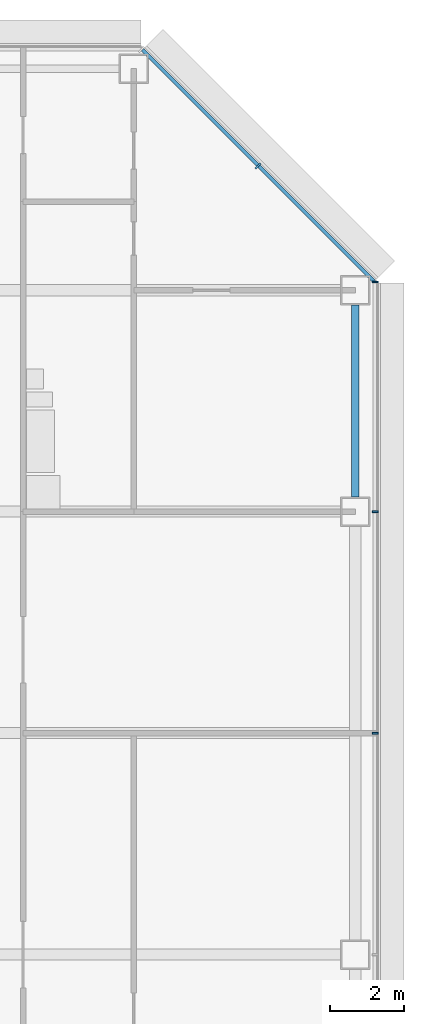
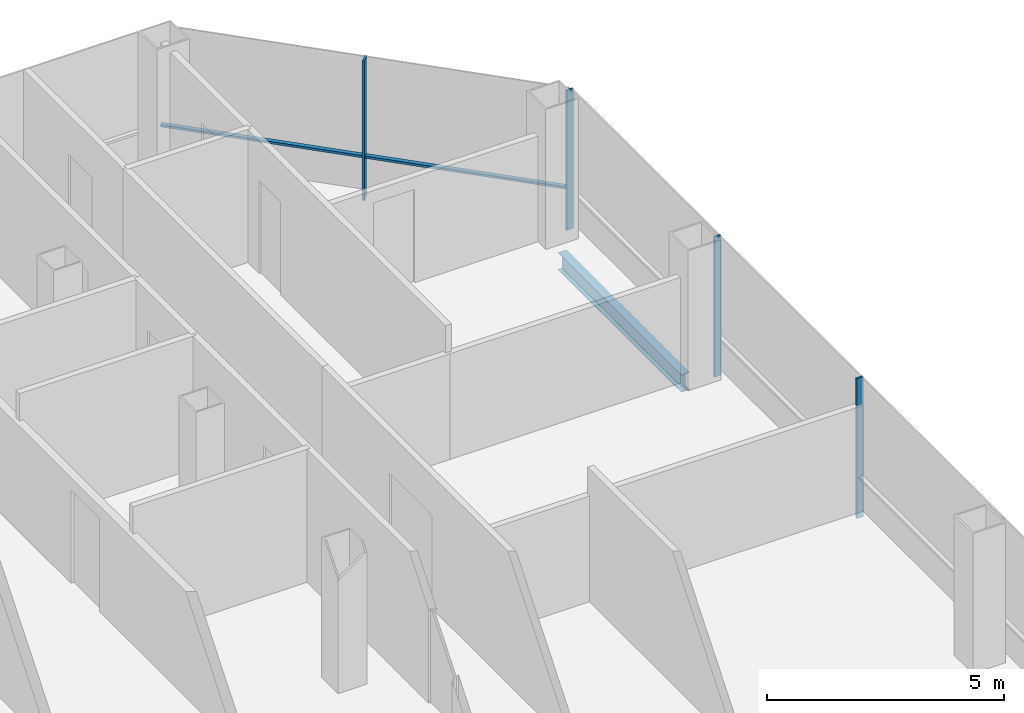
# One storey, part 17 of 25: 5 members, 1 beam, 2 elements without a shape of their own.
"""IFC4 building model written with IfcOpenShell, lengths in metres."""

from ifc_helpers import new_model, si_unit, direction, frame, origin, origin_2d, place, context, subcontext, project, spatial, rectangle, i_section, extrude, material, material_profile, profile_set, type_object, element, aggregate, save


model = new_model("IFC4")

# Units and contexts
model_context = context("Model", 3, precision=1e-05, world=origin(), true_north=direction((0.0, 1.0)))
body_context = subcontext(model_context, "Body", "Model", "MODEL_VIEW")
ifc_project = project(units=[si_unit("LENGTHUNIT", "METRE"), si_unit("AREAUNIT", "SQUARE_METRE"), si_unit("VOLUMEUNIT", "CUBIC_METRE"), si_unit("PLANEANGLEUNIT", "RADIAN"), si_unit("MASSUNIT", "GRAM", prefix="KILO")], contexts=[model_context])

# Site, building, storey
site_placement = place(None, origin())
site = spatial("IfcSite", under=ifc_project, at=site_placement, CompositionType="ELEMENT")
building_placement = place(site_placement, origin())
building = spatial("IfcBuilding", under=site, at=building_placement, Name="Sorahane Residences", CompositionType="ELEMENT")
storey_placement = place(building_placement, frame((0.0, 0.0, 99.800048828125)))
storey = spatial("IfcBuildingStorey", under=building, at=storey_placement, Name="L21", CompositionType="ELEMENT", Elevation=99.800048828125)

# Curtain wall, members
ifc_material_1 = material(Name="Dark low-e glass and black anodised aluminium", Category="aluminium")
curtain_wall_type_1 = type_object("IfcCurtainWallType", Name="Curtain wall CW-1 Typical unitised wall", PredefinedType="NOTDEFINED", material=ifc_material_1)
curtain_wall_1_placement = place(storey_placement, origin())
curtain_wall_1 = element("IfcCurtainWall", 1, at=curtain_wall_1_placement, inside=storey, type_object=curtain_wall_type_1, Name="CW-1 curtain wall L21 E1", PredefinedType="NOTDEFINED")
ifc_material_2 = material(Name="Black anodised aluminium", Category="aluminium")
ifc_material_profile_1 = material_profile(ifc_material_2, rectangle(XDim=0.159912109375, YDim=0.050048828125, at=origin_2d()), Name="Curtain wall mullion CW-1 black anodised aluminium 50x160")
ifc_profile_set_1 = profile_set([ifc_material_profile_1], Name="Black anodised aluminium")
member_type_1 = type_object("IfcMemberType", Name="Curtain wall mullion CW-1 black anodised aluminium 50x160", PredefinedType="MULLION", material=ifc_profile_set_1)
member_1_placement = place(storey_placement, frame((60.5400390625, 30.0, -0.179931640625), z_axis=(0.0, 0.0, 1.0), x_axis=(1.0, 0.0, 0.0)))
member_1 = element("IfcMember", 2, at=member_1_placement, type_object=member_type_1, Name="CW-1 mullion L21 E1.5", PredefinedType="MULLION", context=body_context, shape_type="SweptSolid", body=[
    extrude(rectangle(XDim=0.159912109375, YDim=0.050048828125, at=origin_2d()), origin(), (0.0, 0.0, 1.0), 3.599853515625),
])
member_2_placement = place(storey_placement, frame((60.5400390625, 36.0, -0.179931640625), z_axis=(0.0, 0.0, 1.0), x_axis=(1.0, 0.0, 0.0)))
member_2 = element("IfcMember", 3, at=member_2_placement, type_object=member_type_1, Name="CW-1 mullion L21 E1.6", PredefinedType="MULLION", context=body_context, shape_type="SweptSolid", body=[
    extrude(rectangle(XDim=0.159912109375, YDim=0.050048828125, at=origin_2d()), origin(), (0.0, 0.0, 1.0), 3.599853515625),
])
member_3_placement = place(storey_placement, frame((60.5400390625, 42.2236328125, -0.179931640625), z_axis=(0.0, 0.0, 1.0), x_axis=(1.0, 0.0, 0.0)))
member_3 = element("IfcMember", 4, at=member_3_placement, type_object=member_type_1, Name="CW-1 mullion L21 E1.7", PredefinedType="MULLION", context=body_context, shape_type="SweptSolid", body=[
    extrude(rectangle(XDim=0.159912109375, YDim=0.050048828125, at=origin_2d()), origin(), (0.0, 0.0, 1.0), 3.599853515625),
])
aggregate(curtain_wall_1, [member_1, member_2, member_3])

ifc_material_3 = material(Name="Dark low-e glass and black anodised aluminium", Category="aluminium")
curtain_wall_type_2 = type_object("IfcCurtainWallType", Name="Curtain wall CW-2 Chamfer unitised wall", PredefinedType="NOTDEFINED", material=ifc_material_3)
curtain_wall_2_placement = place(storey_placement, origin())
curtain_wall_2 = element("IfcCurtainWall", 5, at=curtain_wall_2_placement, inside=storey, type_object=curtain_wall_type_2, Name="CW-2 curtain wall L21 NE1", PredefinedType="NOTDEFINED")
ifc_material_4 = material(Name="Black anodised aluminium", Category="aluminium")
ifc_material_profile_2 = material_profile(ifc_material_4, rectangle(XDim=0.199951171875, YDim=0.050048828125, at=origin_2d()), Name="Curtain wall mullion CW-2 black anodised aluminium 50x200")
ifc_profile_set_2 = profile_set([ifc_material_profile_2], Name="Black anodised aluminium")
member_type_2 = type_object("IfcMemberType", Name="Curtain wall mullion CW-2 black anodised aluminium 50x200", PredefinedType="MULLION", material=ifc_profile_set_2)
member_4_placement = place(storey_placement, frame((57.36767578125, 45.36767578125, -0.179931640625), z_axis=(0.0, 0.0, 1.0), x_axis=(0.707106781187, 0.707106781187, 0.0)))
member_4 = element("IfcMember", 6, at=member_4_placement, type_object=member_type_2, Name="CW-2 mullion L21 NE1.2", PredefinedType="MULLION", context=body_context, shape_type="SweptSolid", body=[
    extrude(rectangle(XDim=0.199951171875, YDim=0.050048828125, at=origin_2d()), origin(), (0.0, 0.0, 1.0), 3.599853515625),
])
ifc_material_5 = material(Name="Black anodised aluminium", Category="aluminium")
ifc_material_profile_3 = material_profile(ifc_material_5, rectangle(XDim=0.10009765625, YDim=0.06005859375, at=origin_2d()), Name="Curtain wall transom CW-2 black anodised aluminium 60x100")
ifc_profile_set_3 = profile_set([ifc_material_profile_3], Name="Black anodised aluminium")
member_type_3 = type_object("IfcMemberType", Name="Curtain wall transom CW-2 black anodised aluminium 60x100", PredefinedType="USERDEFINED", material=ifc_profile_set_3)
member_5_placement = place(storey_placement, frame((60.51513671875, 42.234375, 0.89990234375), z_axis=(-0.707106781187, 0.707106781187, 0.0), x_axis=(-0.707106781187, -0.707106781187, 0.0)))
member_5 = element("IfcMember", 7, at=member_5_placement, type_object=member_type_3, Name="CW-2 transom L21 NE1", ObjectType="TRANSOM", PredefinedType="USERDEFINED", context=body_context, shape_type="SweptSolid", body=[
    extrude(rectangle(XDim=0.10009765625, YDim=0.06005859375, at=origin_2d()), origin(), (0.0, 0.0, 1.0), 8.88232421875),
])
aggregate(curtain_wall_2, [member_4, member_5])

# Beam
ifc_material_6 = material(Name="Steel Q355B", Category="steel")
ifc_material_profile_4 = material_profile(ifc_material_6, i_section(OverallWidth=0.199951171875, OverallDepth=0.449951171875, WebThickness=0.009033203125, FlangeThickness=0.013916015625, FilletRadius=0.02001953125, at=origin_2d()), Name="HN 450x200x9x14")
ifc_profile_set_4 = profile_set([ifc_material_profile_4], Name="Steel Q355B")
beam_type = type_object("IfcBeamType", Name="Steel floor beam HN 450x200x9x14 Q355B", PredefinedType="BEAM", material=ifc_profile_set_4)
beam_placement = place(storey_placement, frame((60.0, 36.39990234375, -0.405029296875), z_axis=(0.0, 1.0, 0.0), x_axis=(-1.0, 0.0, 0.0)))
element("IfcBeam", 8, at=beam_placement, inside=storey, type_object=beam_type, Name="Beam L21 067", PredefinedType="BEAM", context=body_context, shape_type="SweptSolid", body=[
    extrude(i_section(OverallWidth=0.199951171875, OverallDepth=0.449951171875, WebThickness=0.009033203125, FlangeThickness=0.013916015625, FilletRadius=0.02001953125, at=origin_2d()), origin(), (0.0, 0.0, 1.0), 5.2001953125),
])

save(model, "model.ifc")
